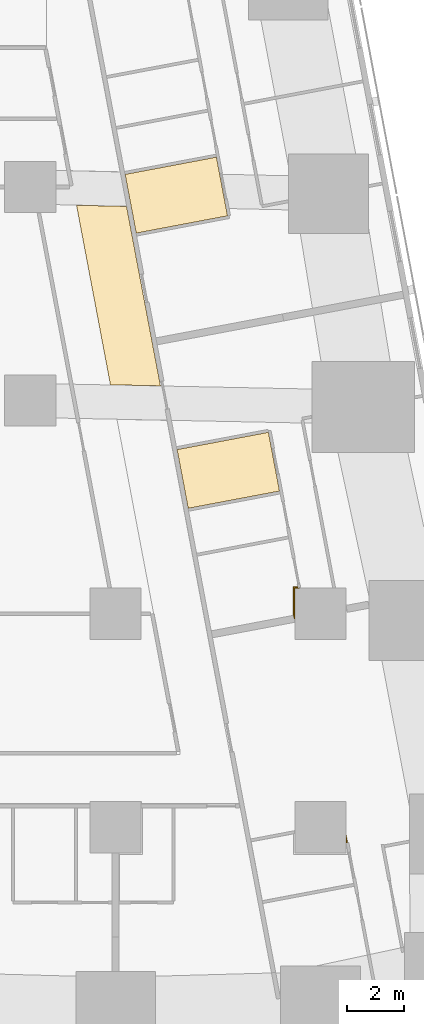
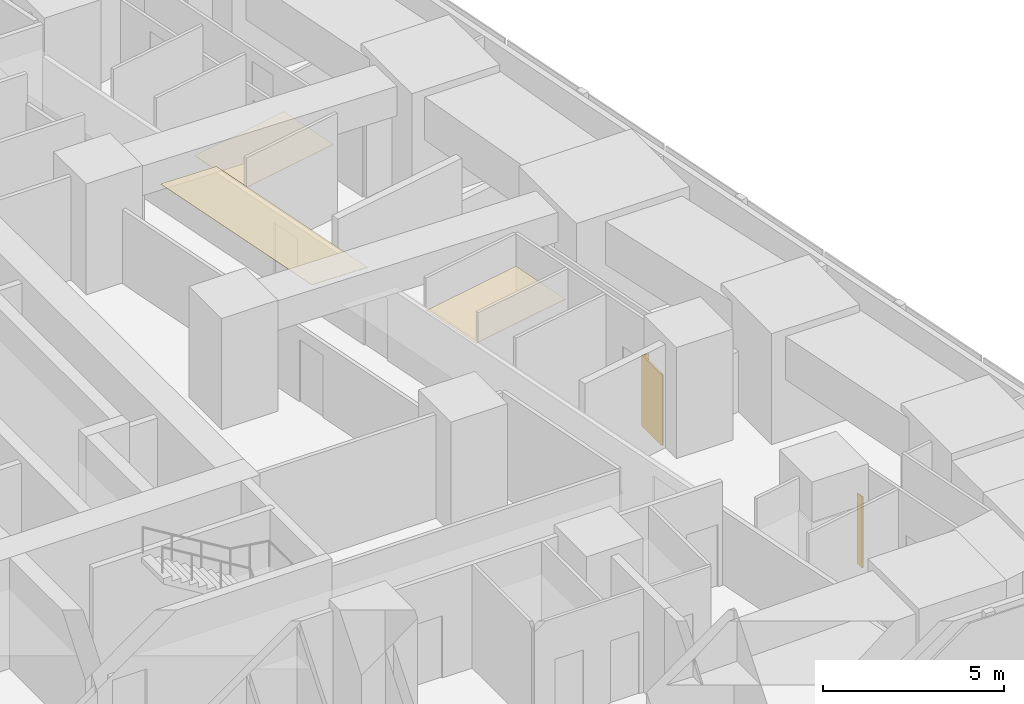
# One storey, part 15 of 16: 5 coverings.
"""IFC4 building model written with IfcOpenShell, lengths in metres."""

from ifc_helpers import new_model, si_unit, direction, frame, origin, place, context, subcontext, project, spatial, polyline, outline, extrude, material, layer, layer_set, type_object, element, save


model = new_model("IFC4")

# Units and contexts
model_context = context("Model", 3, precision=1e-05, world=origin(), true_north=direction((0.0, 1.0)))
body_context = subcontext(model_context, "Body", "Model", "MODEL_VIEW")
ifc_project = project(units=[si_unit("LENGTHUNIT", "METRE"), si_unit("AREAUNIT", "SQUARE_METRE"), si_unit("VOLUMEUNIT", "CUBIC_METRE"), si_unit("PLANEANGLEUNIT", "RADIAN"), si_unit("MASSUNIT", "GRAM", prefix="KILO")], contexts=[model_context])

# Site, building, storey
site_placement = place(None, origin())
site = spatial("IfcSite", under=ifc_project, at=site_placement, CompositionType="ELEMENT")
building_placement = place(site_placement, origin())
building = spatial("IfcBuilding", under=site, at=building_placement, Name="Sheger Commons Tower", CompositionType="ELEMENT")
storey_placement = place(building_placement, frame((0.0, 0.0, 53.75)))
storey = spatial("IfcBuildingStorey", under=building, at=storey_placement, Name="L13", CompositionType="ELEMENT", Elevation=53.75)

# Coverings
ifc_material_1 = material(Name="Moisture-resistant gypsum plasterboard 15 mm on a suspended galvanised steel grid", Category="steel")
ifc_layer_1 = layer(ifc_material_1, 0.014892578125)
ifc_layer_set_1 = layer_set([ifc_layer_1], Name="MOISTURE-RESISTANT CEILING 15")
covering_type_1 = type_object("IfcCoveringType", Name="MOISTURE-RESISTANT CEILING 15", PredefinedType="CEILING", material=ifc_layer_set_1)
covering_1_placement = place(storey_placement, frame((0.0, 0.0, 2.39990234375)))
element("IfcCovering", 1, at=covering_1_placement, inside=storey, type_object=covering_type_1, Name="L13-09.B1 ceiling", PredefinedType="CEILING", context=body_context, shape_type="SweptSolid", body=[
    extrude(outline(polyline([(36.72509765625, 28.37890625), (39.93310546875, 28.986083984375), (39.54296875, 31.049072265625), (36.3349609375, 30.443115234375), (36.72509765625, 28.37890625)])), origin(), (0.0, 0.0, 1.0), 0.01513671875),
])
covering_2_placement = place(storey_placement, frame((0.0, 0.0, 2.39990234375)))
element("IfcCovering", 2, at=covering_2_placement, inside=storey, type_object=covering_type_1, Name="L13-10.B1 ceiling", PredefinedType="CEILING", context=body_context, shape_type="SweptSolid", body=[
    extrude(outline(polyline([(38.552001953125, 18.7080078125), (41.760009765625, 19.31396484375), (41.3701171875, 21.3779296875), (38.162109375, 20.77197265625), (38.552001953125, 18.7080078125)])), origin(), (0.0, 0.0, 1.0), 0.01513671875),
])
ifc_material_2 = material(Name="Gypsum plasterboard 15 mm on a suspended steel grid", Category="steel")
ifc_layer_2 = layer(ifc_material_2, 0.014892578125)
ifc_layer_set_2 = layer_set([ifc_layer_2], Name="SUSPENDED CEILING 15")
covering_type_2 = type_object("IfcCoveringType", Name="SUSPENDED CEILING 15", PredefinedType="CEILING", material=ifc_layer_set_2)
covering_3_placement = place(storey_placement, frame((0.0, 0.0, 2.699951171875)))
element("IfcCovering", 3, at=covering_3_placement, inside=storey, type_object=covering_type_2, Name="L13-CO ceiling", PredefinedType="CEILING", context=body_context, shape_type="SweptSolid", body=[
    extrude(outline(polyline([(37.575927734375, 23.011962890625), (36.385009765625, 29.318115234375), (34.626953125, 29.35791015625), (35.819091796875, 23.048095703125), (37.575927734375, 23.011962890625)])), origin(), (0.0, 0.0, 1.0), 0.01513671875),
])
ifc_material_3 = material(Name="Moisture-resistant gypsum board 12.5 mm on 25 mm treated timber battens, tanked and tiled", Category="wood")
ifc_layer_3 = layer(ifc_material_3, 0.050048828125)
ifc_layer_set_3 = layer_set([ifc_layer_3], Name="WET-ROOM COLUMN LINING")
covering_type_3 = type_object("IfcCoveringType", Name="WET-ROOM COLUMN LINING", PredefinedType="CLADDING", material=ifc_layer_set_3)
covering_4_placement = place(storey_placement, origin())
element("IfcCovering", 4, at=covering_4_placement, inside=storey, type_object=covering_type_3, Name="Bathroom column lining C8 L13", PredefinedType="CLADDING", context=body_context, shape_type="SweptSolid", body=[
    extrude(outline(polyline([(44.10009765625, 7.220947265625), (44.14892578125, 6.9599609375), (44.10009765625, 6.950927734375), (44.10009765625, 7.220947265625)])), origin(), (0.0, 0.0, 1.0), 2.39990234375),
])
covering_5_placement = place(storey_placement, origin())
element("IfcCovering", 5, at=covering_5_placement, inside=storey, type_object=covering_type_3, Name="Store and laundry column lining C8 L13", PredefinedType="CLADDING", context=body_context, shape_type="SweptSolid", body=[
    extrude(outline(polyline([(42.40087890625, 15.949951171875), (42.409912109375, 15.90087890625), (42.458984375, 15.909912109375), (42.4609375, 15.89990234375), (42.300048828125, 15.89990234375), (42.300048828125, 14.830078125), (42.27587890625, 14.824951171875), (42.2529296875, 14.947998046875), (42.25, 14.947021484375), (42.25, 15.949951171875), (42.40087890625, 15.949951171875)])), origin(), (0.0, 0.0, 1.0), 2.39990234375),
])

save(model, "model.ifc")
